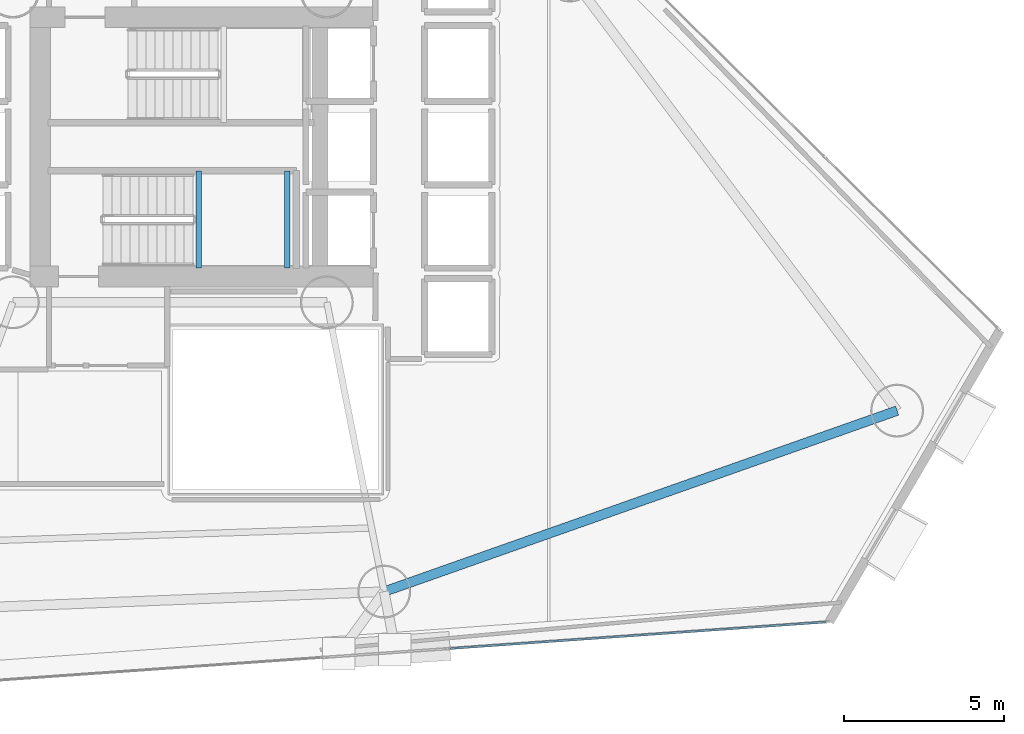
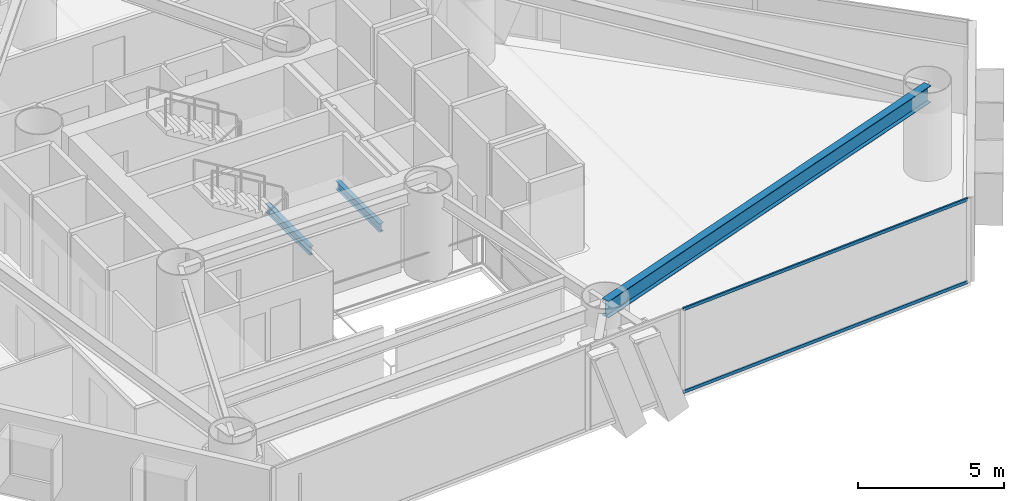
# One storey, part 7 of 24: 3 beams, 2 members, 1 element without a shape of its own.
"""IFC4 building model written with IfcOpenShell, lengths in metres."""

from ifc_helpers import new_model, si_unit, direction, frame, origin, origin_2d, place, context, subcontext, project, spatial, hollow_rectangle, i_section, extrude, material, layer, layer_set, material_profile, profile_set, type_object, element, aggregate, save


model = new_model("IFC4")

# Units and contexts
model_context = context("Model", 3, precision=1e-05, world=origin(), true_north=direction((0.0, 1.0)))
body_context = subcontext(model_context, "Body", "Model", "MODEL_VIEW")
ifc_project = project(units=[si_unit("LENGTHUNIT", "METRE"), si_unit("AREAUNIT", "SQUARE_METRE"), si_unit("VOLUMEUNIT", "CUBIC_METRE"), si_unit("PLANEANGLEUNIT", "RADIAN"), si_unit("MASSUNIT", "GRAM", prefix="KILO")], contexts=[model_context])

# Site, building, storey
site_placement = place(None, origin())
site = spatial("IfcSite", under=ifc_project, at=site_placement, CompositionType="ELEMENT")
building_placement = place(site_placement, origin())
building = spatial("IfcBuilding", under=site, at=building_placement, Name="Qianvela Tower", CompositionType="ELEMENT")
storey_placement = place(building_placement, frame((0.0, 0.0, 59.89990234375)))
storey = spatial("IfcBuildingStorey", under=building, at=storey_placement, Name="L14", CompositionType="ELEMENT", Elevation=59.89990234375)

# Beams
ifc_material_1 = material(Name="Steel Q355B", Category="steel")
ifc_material_profile_1 = material_profile(ifc_material_1, i_section(OverallWidth=0.175048828125, OverallDepth=0.35009765625, WebThickness=0.007080078125, FlangeThickness=0.010986328125, at=origin_2d()), Name="HN350x175x7x11")
ifc_profile_set_1 = profile_set([ifc_material_profile_1], Name="Steel Q355B")
beam_type_1 = type_object("IfcBeamType", Name="BM-HN350-JOIST", PredefinedType="JOIST", material=ifc_profile_set_1)
for number, where, z_axis, x_axis, name in (
    (1, (34.39990234375, 24.919921875, 1.47509765625), (0.0, 1.0, 0.0), (-1.0, 0.0, 0.0), "L14 Stair ST-2 Landing Support Beam 1.1"),
    (2, (37.169921875, 24.919921875, 1.47509765625), (0.0, 1.0, 0.0), (-1.0, 0.0, 0.0), "L14 Stair ST-2 Landing Support Beam 1.2"),
):
    element("IfcBeam", number, at=place(storey_placement, frame(where, z_axis=z_axis, x_axis=x_axis)), inside=storey, type_object=beam_type_1, Name=name, PredefinedType="JOIST", context=body_context, shape_type="SweptSolid", body=[
        extrude(i_section(OverallWidth=0.175048828125, OverallDepth=0.35009765625, WebThickness=0.007080078125, FlangeThickness=0.010986328125, at=origin_2d()), origin(), (0.0, 0.0, 1.0), 3.02001953125),
    ])
ifc_material_2 = material(Name="Steel Q355B", Category="steel")
ifc_material_profile_2 = material_profile(ifc_material_2, i_section(OverallWidth=0.300048828125, OverallDepth=0.699951171875, WebThickness=0.012939453125, FlangeThickness=0.02392578125, at=origin_2d()), Name="HN700x300x13x24")
ifc_profile_set_2 = profile_set([ifc_material_profile_2], Name="Steel Q355B")
beam_type_2 = type_object("IfcBeamType", Name="BM-HN700-SPAND", PredefinedType="SPANDREL", material=ifc_profile_set_2)
beam_placement = place(storey_placement, frame((40.18896484375, 14.819091796875, 3.168212890625), z_axis=(0.943021125648, 0.332732860687, 0.0), x_axis=(-0.332732860687, 0.943021125648, 0.0)))
element("IfcBeam", 3, at=beam_placement, inside=storey, type_object=beam_type_2, Name="L14 Perimeter Ring Spandrel Girder 6", PredefinedType="SPANDREL", context=body_context, shape_type="SweptSolid", body=[
    extrude(i_section(OverallWidth=0.300048828125, OverallDepth=0.699951171875, WebThickness=0.012939453125, FlangeThickness=0.02392578125, at=origin_2d()), origin(), (0.0, 0.0, 1.0), 16.977294921875),
])

# Curtain wall, members
ifc_material_3 = material(Name="Anodised Architectural Aluminium and Low-E Glass", Category="aluminium")
ifc_layer = layer(ifc_material_3, 0.179931640625)
ifc_layer_set = layer_set([ifc_layer], Name="Anodised Architectural Aluminium and Low-E Glass")
curtain_wall_type = type_object("IfcCurtainWallType", Name="CW-COLIV-Z12", PredefinedType="USERDEFINED", material=ifc_layer_set)
curtain_wall_placement = place(storey_placement, origin())
curtain_wall = element("IfcCurtainWall", 4, at=curtain_wall_placement, inside=storey, type_object=curtain_wall_type, Name="L14 CW-COLIV-Z12 Curtain Wall 06C", ObjectType="CURTAIN_WALL_SYSTEM", PredefinedType="USERDEFINED")
ifc_material_4 = material(Name="Anodised Architectural Aluminium 6063-T6", Category="aluminium")
ifc_material_profile_3 = material_profile(ifc_material_4, hollow_rectangle(XDim=0.06494140625, YDim=0.1298828125, WallThickness=0.00439453125, at=origin_2d()), Name="ALU-TRAN-65x130")
ifc_profile_set_3 = profile_set([ifc_material_profile_3], Name="Anodised Architectural Aluminium 6063-T6")
member_type = type_object("IfcMemberType", Name="CW-COLIV-Z12-TRAN", PredefinedType="USERDEFINED", material=ifc_profile_set_3)
member_1_placement = place(storey_placement, frame((42.23974609375, 13.04443359375, 0.03271484375), z_axis=(0.997523838362, 0.070329168204, 0.0), x_axis=(-0.070329168204, 0.997523838362, 0.0)))
member_1 = element("IfcMember", 5, at=member_1_placement, type_object=member_type, Name="CW-3 transom 1.1", ObjectType="TRANSOM", PredefinedType="USERDEFINED", context=body_context, shape_type="SweptSolid", body=[
    extrude(hollow_rectangle(XDim=0.06494140625, YDim=0.1298828125, WallThickness=0.00439453125, at=origin_2d()), origin(), (0.0, 0.0, 1.0), 11.757568359375),
])
member_2_placement = place(storey_placement, frame((42.23974609375, 13.04443359375, 3.487548828125), z_axis=(0.997523838362, 0.070329168204, 0.0), x_axis=(-0.070329168204, 0.997523838362, 0.0)))
member_2 = element("IfcMember", 6, at=member_2_placement, type_object=member_type, Name="CW-3 transom 1.2", ObjectType="TRANSOM", PredefinedType="USERDEFINED", context=body_context, shape_type="SweptSolid", body=[
    extrude(hollow_rectangle(XDim=0.06494140625, YDim=0.1298828125, WallThickness=0.00439453125, at=origin_2d()), origin(), (0.0, 0.0, 1.0), 11.757568359375),
])
aggregate(curtain_wall, [member_1, member_2])

save(model, "model.ifc")
